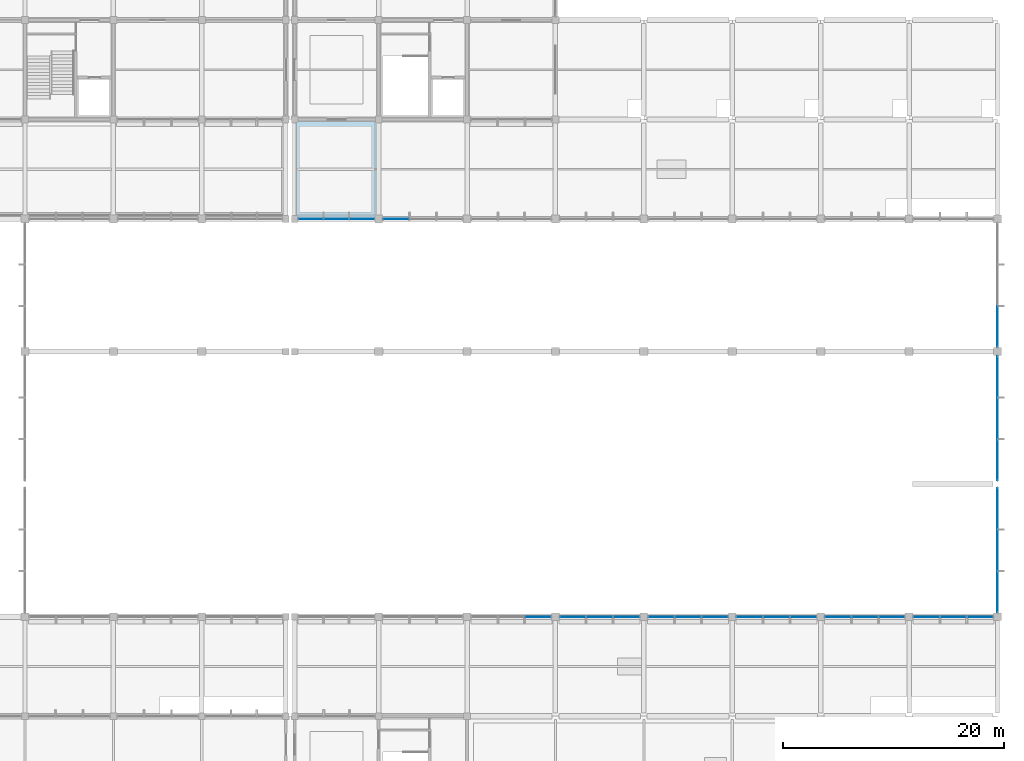
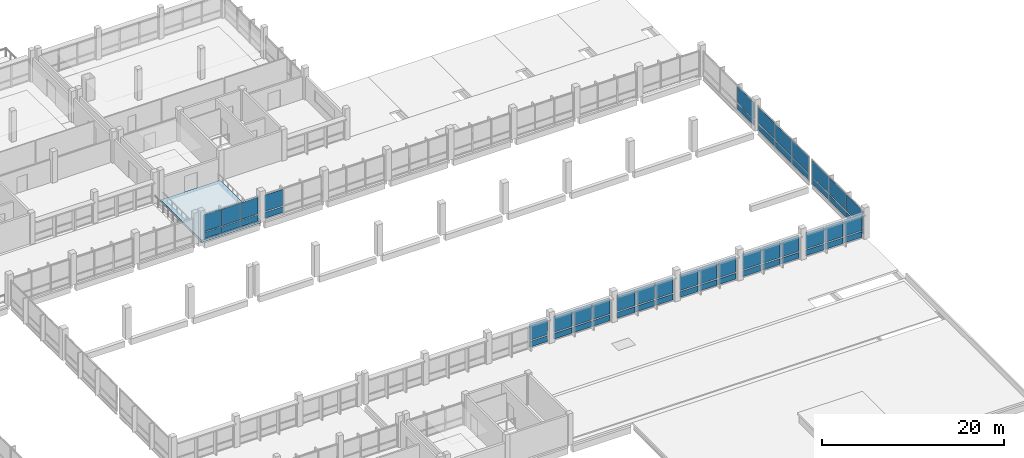
# One storey, part 52 of 70: 54 plates, 1 slab, 11 elements without a shape of their own.
"""IFC4 building model written with IfcOpenShell, lengths in metres."""

from ifc_helpers import new_model, si_unit, direction, frame, origin, origin_2d, place, context, subcontext, project, spatial, polyline, rectangle, outline, extrude, material, layer, layer_set, type_object, element, aggregate, save


model = new_model("IFC4")

# Units and contexts
model_context = context("Model", 3, precision=1e-05, world=origin(), true_north=direction((0.0, 1.0)))
body_context = subcontext(model_context, "Body", "Model", "MODEL_VIEW")
ifc_project = project(units=[si_unit("LENGTHUNIT", "METRE"), si_unit("AREAUNIT", "SQUARE_METRE"), si_unit("VOLUMEUNIT", "CUBIC_METRE"), si_unit("PLANEANGLEUNIT", "RADIAN"), si_unit("MASSUNIT", "GRAM", prefix="KILO"), si_unit("THERMODYNAMICTEMPERATUREUNIT", "KELVIN"), si_unit("POWERUNIT", "WATT")], contexts=[model_context])

# Site, building, storey
site_placement = place(None, origin())
site = spatial("IfcSite", under=ifc_project, at=site_placement, CompositionType="ELEMENT")
building_placement = place(site_placement, origin())
building = spatial("IfcBuilding", under=site, at=building_placement, Name="Kronsvod Quay Wholesale Market", CompositionType="ELEMENT")
storey_placement = place(building_placement, frame((0.0, 0.0, 9.0)))
storey = spatial("IfcBuildingStorey", under=building, at=storey_placement, Name="L02", CompositionType="ELEMENT", Elevation=9.0)

# Curtain wall, plates
ifc_material_1 = material(Name="Thermally broken aluminium and triple low-E glazing", Category="aluminium")
curtain_wall_type_1 = type_object("IfcCurtainWallType", Name="CW_Clerestory80x32", PredefinedType="NOTDEFINED", material=ifc_material_1)
curtain_wall_1_placement = place(storey_placement, origin())
curtain_wall_1 = element("IfcCurtainWall", 1, at=curtain_wall_1_placement, inside=storey, type_object=curtain_wall_type_1, Name="CWGX-L02-1284-900", PredefinedType="NOTDEFINED")
ifc_material_2 = material(Name="Insulated aluminium spandrel panel", Category="aluminium")
ifc_layer_1 = layer(ifc_material_2, 0.048095703125)
ifc_layer_set_1 = layer_set([ifc_layer_1], Name="Insulated aluminium spandrel panel")
plate_type_1 = type_object("IfcPlateType", Name="CWPanel_SP2223x820", PredefinedType="CURTAIN_PANEL", material=ifc_layer_set_1)
plate_1_placement = place(storey_placement, frame((134.478759765625, 90.0, 0.1201171875), z_axis=(0.0, 0.0, 1.0), x_axis=(-1.0, 0.0, 0.0)))
plate_1 = element("IfcPlate", 2, at=plate_1_placement, type_object=plate_type_1, Name="CWGX-L02-1284-900-PS1", PredefinedType="CURTAIN_PANEL", context=body_context, shape_type="SweptSolid", body=[
    extrude(rectangle(XDim=2.222900390625, YDim=0.048095703125, at=origin_2d()), origin(), (0.0, 0.0, 1.0), 0.820068359375),
])
plate_2_placement = place(storey_placement, frame((129.871337890625, 90.0, 0.1201171875), z_axis=(0.0, 0.0, 1.0), x_axis=(-1.0, 0.0, 0.0)))
plate_2 = element("IfcPlate", 3, at=plate_2_placement, type_object=plate_type_1, Name="CWGX-L02-1284-900-PS3", PredefinedType="CURTAIN_PANEL", context=body_context, shape_type="SweptSolid", body=[
    extrude(rectangle(XDim=2.222900390625, YDim=0.048095703125, at=origin_2d()), origin(), (0.0, 0.0, 1.0), 0.820068359375),
])
ifc_material_3 = material(Name="Insulated aluminium spandrel panel", Category="aluminium")
ifc_layer_2 = layer(ifc_material_3, 0.048095703125)
ifc_layer_set_2 = layer_set([ifc_layer_2], Name="Insulated aluminium spandrel panel")
plate_type_2 = type_object("IfcPlateType", Name="CWPanel_SP2255x820", PredefinedType="CURTAIN_PANEL", material=ifc_layer_set_2)
plate_3_placement = place(storey_placement, frame((132.175048828125, 90.0, 0.1201171875), z_axis=(0.0, 0.0, 1.0), x_axis=(-1.0, 0.0, 0.0)))
plate_3 = element("IfcPlate", 4, at=plate_3_placement, type_object=plate_type_2, Name="CWGX-L02-1284-900-PS2", PredefinedType="CURTAIN_PANEL", context=body_context, shape_type="SweptSolid", body=[
    extrude(rectangle(XDim=2.2548828125, YDim=0.048095703125, at=origin_2d()), origin(), (0.0, 0.0, 1.0), 0.820068359375),
])

# Curtain wall, plate
curtain_wall_2_placement = place(storey_placement, origin())
curtain_wall_2 = element("IfcCurtainWall", 5, at=curtain_wall_2_placement, inside=storey, type_object=curtain_wall_type_1, Name="CWGX-L02-1440-540", PredefinedType="NOTDEFINED")
ifc_material_4 = material(Name="Insulated aluminium spandrel panel", Category="aluminium")
ifc_layer_3 = layer(ifc_material_4, 0.048095703125)
ifc_layer_set_3 = layer_set([ifc_layer_3], Name="Insulated aluminium spandrel panel")
plate_type_3 = type_object("IfcPlateType", Name="CWPanel_SP2324x775", PredefinedType="CURTAIN_PANEL", material=ifc_layer_set_3)
plate_4_placement = place(storey_placement, frame((150.41796875, 54.0, 0.150146484375), z_axis=(0.0, 0.0, 1.0), x_axis=(1.0, 0.0, 0.0)))
plate_4 = element("IfcPlate", 6, at=plate_4_placement, type_object=plate_type_3, Name="CWGX-L02-1440-540-PS3", PredefinedType="CURTAIN_PANEL", context=body_context, shape_type="SweptSolid", body=[
    extrude(rectangle(XDim=2.323974609375, YDim=0.048095703125, at=origin_2d()), origin(), (0.0, 0.0, 1.0), 0.77490234375),
])

# Curtain wall, plates
curtain_wall_3_placement = place(storey_placement, origin())
curtain_wall_3 = element("IfcCurtainWall", 7, at=curtain_wall_3_placement, inside=storey, type_object=curtain_wall_type_1, Name="CWGX-L02-1520-540", PredefinedType="NOTDEFINED")
plate_5_placement = place(storey_placement, frame((153.58203125, 54.0, 0.150146484375), z_axis=(0.0, 0.0, 1.0), x_axis=(1.0, 0.0, 0.0)))
plate_5 = element("IfcPlate", 8, at=plate_5_placement, type_object=plate_type_3, Name="CWGX-L02-1520-540-PS1", PredefinedType="CURTAIN_PANEL", context=body_context, shape_type="SweptSolid", body=[
    extrude(rectangle(XDim=2.323974609375, YDim=0.048095703125, at=origin_2d()), origin(), (0.0, 0.0, 1.0), 0.77490234375),
])
plate_6_placement = place(storey_placement, frame((158.41796875, 54.0, 0.150146484375), z_axis=(0.0, 0.0, 1.0), x_axis=(1.0, 0.0, 0.0)))
plate_6 = element("IfcPlate", 9, at=plate_6_placement, type_object=plate_type_3, Name="CWGX-L02-1520-540-PS3", PredefinedType="CURTAIN_PANEL", context=body_context, shape_type="SweptSolid", body=[
    extrude(rectangle(XDim=2.323974609375, YDim=0.048095703125, at=origin_2d()), origin(), (0.0, 0.0, 1.0), 0.77490234375),
])

curtain_wall_4_placement = place(storey_placement, origin())
curtain_wall_4 = element("IfcCurtainWall", 10, at=curtain_wall_4_placement, inside=storey, type_object=curtain_wall_type_1, Name="CWGX-L02-1600-540", PredefinedType="NOTDEFINED")
plate_7_placement = place(storey_placement, frame((161.58203125, 54.0, 0.150146484375), z_axis=(0.0, 0.0, 1.0), x_axis=(1.0, 0.0, 0.0)))
plate_7 = element("IfcPlate", 11, at=plate_7_placement, type_object=plate_type_3, Name="CWGX-L02-1600-540-PS1", PredefinedType="CURTAIN_PANEL", context=body_context, shape_type="SweptSolid", body=[
    extrude(rectangle(XDim=2.323974609375, YDim=0.048095703125, at=origin_2d()), origin(), (0.0, 0.0, 1.0), 0.77490234375),
])
plate_8_placement = place(storey_placement, frame((166.41796875, 54.0, 0.150146484375), z_axis=(0.0, 0.0, 1.0), x_axis=(1.0, 0.0, 0.0)))
plate_8 = element("IfcPlate", 12, at=plate_8_placement, type_object=plate_type_3, Name="CWGX-L02-1600-540-PS3", PredefinedType="CURTAIN_PANEL", context=body_context, shape_type="SweptSolid", body=[
    extrude(rectangle(XDim=2.323974609375, YDim=0.048095703125, at=origin_2d()), origin(), (0.0, 0.0, 1.0), 0.77490234375),
])

curtain_wall_5_placement = place(storey_placement, origin())
curtain_wall_5 = element("IfcCurtainWall", 13, at=curtain_wall_5_placement, inside=storey, type_object=curtain_wall_type_1, Name="CWGX-L02-1680-540", PredefinedType="NOTDEFINED")
plate_9_placement = place(storey_placement, frame((169.58203125, 54.0, 0.150146484375), z_axis=(0.0, 0.0, 1.0), x_axis=(1.0, 0.0, 0.0)))
plate_9 = element("IfcPlate", 14, at=plate_9_placement, type_object=plate_type_3, Name="CWGX-L02-1680-540-PS1", PredefinedType="CURTAIN_PANEL", context=body_context, shape_type="SweptSolid", body=[
    extrude(rectangle(XDim=2.323974609375, YDim=0.048095703125, at=origin_2d()), origin(), (0.0, 0.0, 1.0), 0.77490234375),
])
plate_10_placement = place(storey_placement, frame((174.41796875, 54.0, 0.150146484375), z_axis=(0.0, 0.0, 1.0), x_axis=(1.0, 0.0, 0.0)))
plate_10 = element("IfcPlate", 15, at=plate_10_placement, type_object=plate_type_3, Name="CWGX-L02-1680-540-PS3", PredefinedType="CURTAIN_PANEL", context=body_context, shape_type="SweptSolid", body=[
    extrude(rectangle(XDim=2.323974609375, YDim=0.048095703125, at=origin_2d()), origin(), (0.0, 0.0, 1.0), 0.77490234375),
])

curtain_wall_6_placement = place(storey_placement, origin())
curtain_wall_6 = element("IfcCurtainWall", 16, at=curtain_wall_6_placement, inside=storey, type_object=curtain_wall_type_1, Name="CWGX-L02-1760-540", PredefinedType="NOTDEFINED")
plate_11_placement = place(storey_placement, frame((177.58203125, 54.0, 0.150146484375), z_axis=(0.0, 0.0, 1.0), x_axis=(1.0, 0.0, 0.0)))
plate_11 = element("IfcPlate", 17, at=plate_11_placement, type_object=plate_type_3, Name="CWGX-L02-1760-540-PS1", PredefinedType="CURTAIN_PANEL", context=body_context, shape_type="SweptSolid", body=[
    extrude(rectangle(XDim=2.323974609375, YDim=0.048095703125, at=origin_2d()), origin(), (0.0, 0.0, 1.0), 0.77490234375),
])
plate_12_placement = place(storey_placement, frame((182.41796875, 54.0, 0.150146484375), z_axis=(0.0, 0.0, 1.0), x_axis=(1.0, 0.0, 0.0)))
plate_12 = element("IfcPlate", 18, at=plate_12_placement, type_object=plate_type_3, Name="CWGX-L02-1760-540-PS3", PredefinedType="CURTAIN_PANEL", context=body_context, shape_type="SweptSolid", body=[
    extrude(rectangle(XDim=2.323974609375, YDim=0.048095703125, at=origin_2d()), origin(), (0.0, 0.0, 1.0), 0.77490234375),
])

curtain_wall_7_placement = place(storey_placement, origin())
curtain_wall_7 = element("IfcCurtainWall", 19, at=curtain_wall_7_placement, inside=storey, type_object=curtain_wall_type_1, Name="CWGX-L02-1840-540", PredefinedType="NOTDEFINED")
plate_13_placement = place(storey_placement, frame((185.58203125, 54.0, 0.150146484375), z_axis=(0.0, 0.0, 1.0), x_axis=(1.0, 0.0, 0.0)))
plate_13 = element("IfcPlate", 20, at=plate_13_placement, type_object=plate_type_3, Name="CWGX-L02-1840-540-PS1", PredefinedType="CURTAIN_PANEL", context=body_context, shape_type="SweptSolid", body=[
    extrude(rectangle(XDim=2.323974609375, YDim=0.048095703125, at=origin_2d()), origin(), (0.0, 0.0, 1.0), 0.77490234375),
])
plate_14_placement = place(storey_placement, frame((190.41796875, 54.0, 0.150146484375), z_axis=(0.0, 0.0, 1.0), x_axis=(1.0, 0.0, 0.0)))
plate_14 = element("IfcPlate", 21, at=plate_14_placement, type_object=plate_type_3, Name="CWGX-L02-1840-540-PS3", PredefinedType="CURTAIN_PANEL", context=body_context, shape_type="SweptSolid", body=[
    extrude(rectangle(XDim=2.323974609375, YDim=0.048095703125, at=origin_2d()), origin(), (0.0, 0.0, 1.0), 0.77490234375),
])

# Curtain wall, plate
curtain_wall_8_placement = place(storey_placement, origin())
curtain_wall_8 = element("IfcCurtainWall", 22, at=curtain_wall_8_placement, inside=storey, type_object=curtain_wall_type_1, Name="CWGX-L02-1360-900", PredefinedType="NOTDEFINED")
plate_15_placement = place(storey_placement, frame((137.58203125, 90.0, 0.150146484375), z_axis=(0.0, 0.0, 1.0), x_axis=(-1.0, 0.0, 0.0)))
plate_15 = element("IfcPlate", 23, at=plate_15_placement, type_object=plate_type_3, Name="CWGX-L02-1360-900-PS3", PredefinedType="CURTAIN_PANEL", context=body_context, shape_type="SweptSolid", body=[
    extrude(rectangle(XDim=2.323974609375, YDim=0.048095703125, at=origin_2d()), origin(), (0.0, 0.0, 1.0), 0.77490234375),
])

# Plate
ifc_material_5 = material(Name="Insulated aluminium spandrel panel", Category="aluminium")
ifc_layer_4 = layer(ifc_material_5, 0.048095703125)
ifc_layer_set_4 = layer_set([ifc_layer_4], Name="Insulated aluminium spandrel panel")
plate_type_4 = type_object("IfcPlateType", Name="CWPanel_SP2362x775", PredefinedType="CURTAIN_PANEL", material=ifc_layer_set_4)
plate_16_placement = place(storey_placement, frame((156.0, 54.0, 0.150146484375), z_axis=(0.0, 0.0, 1.0), x_axis=(1.0, 0.0, 0.0)))
plate_16 = element("IfcPlate", 24, at=plate_16_placement, type_object=plate_type_4, Name="CWGX-L02-1520-540-PS2", PredefinedType="CURTAIN_PANEL", context=body_context, shape_type="SweptSolid", body=[
    extrude(rectangle(XDim=2.362060546875, YDim=0.048095703125, at=origin_2d()), origin(), (0.0, 0.0, 1.0), 0.77490234375),
])

plate_17_placement = place(storey_placement, frame((164.0, 54.0, 0.150146484375), z_axis=(0.0, 0.0, 1.0), x_axis=(1.0, 0.0, 0.0)))
plate_17 = element("IfcPlate", 25, at=plate_17_placement, type_object=plate_type_4, Name="CWGX-L02-1600-540-PS2", PredefinedType="CURTAIN_PANEL", context=body_context, shape_type="SweptSolid", body=[
    extrude(rectangle(XDim=2.362060546875, YDim=0.048095703125, at=origin_2d()), origin(), (0.0, 0.0, 1.0), 0.77490234375),
])

plate_18_placement = place(storey_placement, frame((172.0, 54.0, 0.150146484375), z_axis=(0.0, 0.0, 1.0), x_axis=(1.0, 0.0, 0.0)))
plate_18 = element("IfcPlate", 26, at=plate_18_placement, type_object=plate_type_4, Name="CWGX-L02-1680-540-PS2", PredefinedType="CURTAIN_PANEL", context=body_context, shape_type="SweptSolid", body=[
    extrude(rectangle(XDim=2.362060546875, YDim=0.048095703125, at=origin_2d()), origin(), (0.0, 0.0, 1.0), 0.77490234375),
])

plate_19_placement = place(storey_placement, frame((180.0, 54.0, 0.150146484375), z_axis=(0.0, 0.0, 1.0), x_axis=(1.0, 0.0, 0.0)))
plate_19 = element("IfcPlate", 27, at=plate_19_placement, type_object=plate_type_4, Name="CWGX-L02-1760-540-PS2", PredefinedType="CURTAIN_PANEL", context=body_context, shape_type="SweptSolid", body=[
    extrude(rectangle(XDim=2.362060546875, YDim=0.048095703125, at=origin_2d()), origin(), (0.0, 0.0, 1.0), 0.77490234375),
])

plate_20_placement = place(storey_placement, frame((188.0, 54.0, 0.150146484375), z_axis=(0.0, 0.0, 1.0), x_axis=(1.0, 0.0, 0.0)))
plate_20 = element("IfcPlate", 28, at=plate_20_placement, type_object=plate_type_4, Name="CWGX-L02-1840-540-PS2", PredefinedType="CURTAIN_PANEL", context=body_context, shape_type="SweptSolid", body=[
    extrude(rectangle(XDim=2.362060546875, YDim=0.048095703125, at=origin_2d()), origin(), (0.0, 0.0, 1.0), 0.77490234375),
])

# Curtain wall, plate
ifc_material_6 = material(Name="Thermally broken aluminium and triple low-E glazing", Category="aluminium")
curtain_wall_type_2 = type_object("IfcCurtainWallType", Name="CW_Flower120x32", PredefinedType="NOTDEFINED", material=ifc_material_6)
curtain_wall_9_placement = place(storey_placement, origin())
curtain_wall_9 = element("IfcCurtainWall", 29, at=curtain_wall_9_placement, inside=storey, type_object=curtain_wall_type_2, Name="CWGY-L02-1920-780", PredefinedType="NOTDEFINED")
ifc_material_7 = material(Name="Insulated aluminium spandrel panel", Category="aluminium")
ifc_layer_5 = layer(ifc_material_7, 0.048095703125)
ifc_layer_set_5 = layer_set([ifc_layer_5], Name="Insulated aluminium spandrel panel")
plate_type_5 = type_object("IfcPlateType", Name="CWPanel_SP3649x775", PredefinedType="CURTAIN_PANEL", material=ifc_layer_set_5)
plate_21_placement = place(storey_placement, frame((192.0, 80.26953125, 0.150146484375), z_axis=(0.0, 0.0, 1.0), x_axis=(0.0, 1.0, 0.0)))
plate_21 = element("IfcPlate", 30, at=plate_21_placement, type_object=plate_type_5, Name="CWGY-L02-1920-780-PS1", PredefinedType="CURTAIN_PANEL", context=body_context, shape_type="SweptSolid", body=[
    extrude(rectangle(XDim=3.64892578125, YDim=0.048095703125, at=origin_2d()), origin(), (0.0, 0.0, 1.0), 0.77490234375),
])

# Curtain wall, plates
curtain_wall_10_placement = place(storey_placement, origin())
curtain_wall_10 = element("IfcCurtainWall", 31, at=curtain_wall_10_placement, inside=storey, type_object=curtain_wall_type_2, Name="CWGY-L02-1920-660", PredefinedType="NOTDEFINED")
ifc_material_8 = material(Name="Insulated aluminium spandrel panel", Category="aluminium")
ifc_layer_6 = layer(ifc_material_8, 0.048095703125)
ifc_layer_set_6 = layer_set([ifc_layer_6], Name="Insulated aluminium spandrel panel")
plate_type_6 = type_object("IfcPlateType", Name="CWPanel_SP3666x775", PredefinedType="CURTAIN_PANEL", material=ifc_layer_set_6)
plate_22_placement = place(storey_placement, frame((192.0, 68.202880859375, 0.150146484375), z_axis=(0.0, 0.0, 1.0), x_axis=(0.0, 1.0, 0.0)))
plate_22 = element("IfcPlate", 32, at=plate_22_placement, type_object=plate_type_6, Name="CWGY-L02-1920-660-PS1", PredefinedType="CURTAIN_PANEL", context=body_context, shape_type="SweptSolid", body=[
    extrude(rectangle(XDim=3.666015625, YDim=0.048095703125, at=origin_2d()), origin(), (0.0, 0.0, 1.0), 0.77490234375),
])
plate_23_placement = place(storey_placement, frame((192.0, 75.72216796875, 0.150146484375), z_axis=(0.0, 0.0, 1.0), x_axis=(0.0, 1.0, 0.0)))
plate_23 = element("IfcPlate", 33, at=plate_23_placement, type_object=plate_type_6, Name="CWGY-L02-1920-660-PS3", PredefinedType="CURTAIN_PANEL", context=body_context, shape_type="SweptSolid", body=[
    extrude(rectangle(XDim=3.666015625, YDim=0.048095703125, at=origin_2d()), origin(), (0.0, 0.0, 1.0), 0.77490234375),
])

curtain_wall_11_placement = place(storey_placement, origin())
curtain_wall_11 = element("IfcCurtainWall", 34, at=curtain_wall_11_placement, inside=storey, type_object=curtain_wall_type_2, Name="CWGY-L02-1920-540", PredefinedType="NOTDEFINED")
ifc_material_9 = material(Name="Insulated aluminium spandrel panel", Category="aluminium")
ifc_layer_7 = layer(ifc_material_9, 0.048095703125)
ifc_layer_set_7 = layer_set([ifc_layer_7], Name="Insulated aluminium spandrel panel")
plate_type_7 = type_object("IfcPlateType", Name="CWPanel_SP3674x775", PredefinedType="CURTAIN_PANEL", material=ifc_layer_set_7)
plate_24_placement = place(storey_placement, frame((192.0, 56.257080078125, 0.150146484375), z_axis=(0.0, 0.0, 1.0), x_axis=(0.0, 1.0, 0.0)))
plate_24 = element("IfcPlate", 35, at=plate_24_placement, type_object=plate_type_7, Name="CWGY-L02-1920-540-PS1", PredefinedType="CURTAIN_PANEL", context=body_context, shape_type="SweptSolid", body=[
    extrude(rectangle(XDim=3.674072265625, YDim=0.048095703125, at=origin_2d()), origin(), (0.0, 0.0, 1.0), 0.77490234375),
])
plate_25_placement = place(storey_placement, frame((192.0, 63.79296875, 0.150146484375), z_axis=(0.0, 0.0, 1.0), x_axis=(0.0, 1.0, 0.0)))
plate_25 = element("IfcPlate", 36, at=plate_25_placement, type_object=plate_type_7, Name="CWGY-L02-1920-540-PS3", PredefinedType="CURTAIN_PANEL", context=body_context, shape_type="SweptSolid", body=[
    extrude(rectangle(XDim=3.674072265625, YDim=0.048095703125, at=origin_2d()), origin(), (0.0, 0.0, 1.0), 0.77490234375),
])

# Plate
ifc_material_10 = material(Name="Insulated aluminium spandrel panel", Category="aluminium")
ifc_layer_8 = layer(ifc_material_10, 0.048095703125)
ifc_layer_set_8 = layer_set([ifc_layer_8], Name="Insulated aluminium spandrel panel")
plate_type_8 = type_object("IfcPlateType", Name="CWPanel_SP3703x775", PredefinedType="CURTAIN_PANEL", material=ifc_layer_set_8)
plate_26_placement = place(storey_placement, frame((192.0, 71.96240234375, 0.150146484375), z_axis=(0.0, 0.0, 1.0), x_axis=(0.0, 1.0, 0.0)))
plate_26 = element("IfcPlate", 37, at=plate_26_placement, type_object=plate_type_8, Name="CWGY-L02-1920-660-PS2", PredefinedType="CURTAIN_PANEL", context=body_context, shape_type="SweptSolid", body=[
    extrude(rectangle(XDim=3.702880859375, YDim=0.048095703125, at=origin_2d()), origin(), (0.0, 0.0, 1.0), 0.77490234375),
])

ifc_material_11 = material(Name="Insulated aluminium spandrel panel", Category="aluminium")
ifc_layer_9 = layer(ifc_material_11, 0.048095703125)
ifc_layer_set_9 = layer_set([ifc_layer_9], Name="Insulated aluminium spandrel panel")
plate_type_9 = type_object("IfcPlateType", Name="CWPanel_SP3712x775", PredefinedType="CURTAIN_PANEL", material=ifc_layer_set_9)
plate_27_placement = place(storey_placement, frame((192.0, 60.02490234375, 0.150146484375), z_axis=(0.0, 0.0, 1.0), x_axis=(0.0, 1.0, 0.0)))
plate_27 = element("IfcPlate", 38, at=plate_27_placement, type_object=plate_type_9, Name="CWGY-L02-1920-540-PS2", PredefinedType="CURTAIN_PANEL", context=body_context, shape_type="SweptSolid", body=[
    extrude(rectangle(XDim=3.7119140625, YDim=0.048095703125, at=origin_2d()), origin(), (0.0, 0.0, 1.0), 0.77490234375),
])

ifc_material_12 = material(Name="Triple low-E insulated glazing", Category="glass")
ifc_layer_10 = layer(ifc_material_12, 0.0439453125)
ifc_layer_set_10 = layer_set([ifc_layer_10], Name="Triple low-E insulated glazing")
plate_type_10 = type_object("IfcPlateType", Name="CWPanel_VS2223x2240", PredefinedType="CURTAIN_PANEL", material=ifc_layer_set_10)
plate_28_placement = place(storey_placement, frame((134.478759765625, 90.0, 1.06005859375), z_axis=(0.0, 0.0, 1.0), x_axis=(-1.0, 0.0, 0.0)))
plate_28 = element("IfcPlate", 39, at=plate_28_placement, type_object=plate_type_10, Name="CWGX-L02-1284-900-PV1", PredefinedType="CURTAIN_PANEL", context=body_context, shape_type="SweptSolid", body=[
    extrude(rectangle(XDim=2.222900390625, YDim=0.0439453125, at=origin_2d()), origin(), (0.0, 0.0, 1.0), 2.239990234375),
])

plate_29_placement = place(storey_placement, frame((129.871337890625, 90.0, 1.06005859375), z_axis=(0.0, 0.0, 1.0), x_axis=(-1.0, 0.0, 0.0)))
plate_29 = element("IfcPlate", 40, at=plate_29_placement, type_object=plate_type_10, Name="CWGX-L02-1284-900-PV3", PredefinedType="CURTAIN_PANEL", context=body_context, shape_type="SweptSolid", body=[
    extrude(rectangle(XDim=2.222900390625, YDim=0.0439453125, at=origin_2d()), origin(), (0.0, 0.0, 1.0), 2.239990234375),
])

ifc_material_13 = material(Name="Triple low-E insulated glazing", Category="glass")
ifc_layer_11 = layer(ifc_material_13, 0.0439453125)
ifc_layer_set_11 = layer_set([ifc_layer_11], Name="Triple low-E insulated glazing")
plate_type_11 = type_object("IfcPlateType", Name="CWPanel_VS2255x2240", PredefinedType="CURTAIN_PANEL", material=ifc_layer_set_11)
plate_30_placement = place(storey_placement, frame((132.175048828125, 90.0, 1.06005859375), z_axis=(0.0, 0.0, 1.0), x_axis=(-1.0, 0.0, 0.0)))
plate_30 = element("IfcPlate", 41, at=plate_30_placement, type_object=plate_type_11, Name="CWGX-L02-1284-900-PV2", PredefinedType="CURTAIN_PANEL", context=body_context, shape_type="SweptSolid", body=[
    extrude(rectangle(XDim=2.2548828125, YDim=0.0439453125, at=origin_2d()), origin(), (0.0, 0.0, 1.0), 2.239990234375),
])

aggregate(curtain_wall_1, [plate_1, plate_28, plate_3, plate_30, plate_2, plate_29])

ifc_material_14 = material(Name="Triple low-E insulated glazing", Category="glass")
ifc_layer_12 = layer(ifc_material_14, 0.0439453125)
ifc_layer_set_12 = layer_set([ifc_layer_12], Name="Triple low-E insulated glazing")
plate_type_12 = type_object("IfcPlateType", Name="CWPanel_VS2324x2195", PredefinedType="CURTAIN_PANEL", material=ifc_layer_set_12)
plate_31_placement = place(storey_placement, frame((150.41796875, 54.0, 1.0751953125), z_axis=(0.0, 0.0, 1.0), x_axis=(1.0, 0.0, 0.0)))
plate_31 = element("IfcPlate", 42, at=plate_31_placement, type_object=plate_type_12, Name="CWGX-L02-1440-540-PV3", PredefinedType="CURTAIN_PANEL", context=body_context, shape_type="SweptSolid", body=[
    extrude(rectangle(XDim=2.323974609375, YDim=0.0439453125, at=origin_2d()), origin(), (0.0, 0.0, 1.0), 2.195068359375),
])

aggregate(curtain_wall_2, [plate_4, plate_31])

plate_32_placement = place(storey_placement, frame((153.58203125, 54.0, 1.0751953125), z_axis=(0.0, 0.0, 1.0), x_axis=(1.0, 0.0, 0.0)))
plate_32 = element("IfcPlate", 43, at=plate_32_placement, type_object=plate_type_12, Name="CWGX-L02-1520-540-PV1", PredefinedType="CURTAIN_PANEL", context=body_context, shape_type="SweptSolid", body=[
    extrude(rectangle(XDim=2.323974609375, YDim=0.0439453125, at=origin_2d()), origin(), (0.0, 0.0, 1.0), 2.195068359375),
])

plate_33_placement = place(storey_placement, frame((158.41796875, 54.0, 1.0751953125), z_axis=(0.0, 0.0, 1.0), x_axis=(1.0, 0.0, 0.0)))
plate_33 = element("IfcPlate", 44, at=plate_33_placement, type_object=plate_type_12, Name="CWGX-L02-1520-540-PV3", PredefinedType="CURTAIN_PANEL", context=body_context, shape_type="SweptSolid", body=[
    extrude(rectangle(XDim=2.323974609375, YDim=0.0439453125, at=origin_2d()), origin(), (0.0, 0.0, 1.0), 2.195068359375),
])

plate_34_placement = place(storey_placement, frame((161.58203125, 54.0, 1.0751953125), z_axis=(0.0, 0.0, 1.0), x_axis=(1.0, 0.0, 0.0)))
plate_34 = element("IfcPlate", 45, at=plate_34_placement, type_object=plate_type_12, Name="CWGX-L02-1600-540-PV1", PredefinedType="CURTAIN_PANEL", context=body_context, shape_type="SweptSolid", body=[
    extrude(rectangle(XDim=2.323974609375, YDim=0.0439453125, at=origin_2d()), origin(), (0.0, 0.0, 1.0), 2.195068359375),
])

plate_35_placement = place(storey_placement, frame((166.41796875, 54.0, 1.0751953125), z_axis=(0.0, 0.0, 1.0), x_axis=(1.0, 0.0, 0.0)))
plate_35 = element("IfcPlate", 46, at=plate_35_placement, type_object=plate_type_12, Name="CWGX-L02-1600-540-PV3", PredefinedType="CURTAIN_PANEL", context=body_context, shape_type="SweptSolid", body=[
    extrude(rectangle(XDim=2.323974609375, YDim=0.0439453125, at=origin_2d()), origin(), (0.0, 0.0, 1.0), 2.195068359375),
])

plate_36_placement = place(storey_placement, frame((169.58203125, 54.0, 1.0751953125), z_axis=(0.0, 0.0, 1.0), x_axis=(1.0, 0.0, 0.0)))
plate_36 = element("IfcPlate", 47, at=plate_36_placement, type_object=plate_type_12, Name="CWGX-L02-1680-540-PV1", PredefinedType="CURTAIN_PANEL", context=body_context, shape_type="SweptSolid", body=[
    extrude(rectangle(XDim=2.323974609375, YDim=0.0439453125, at=origin_2d()), origin(), (0.0, 0.0, 1.0), 2.195068359375),
])

plate_37_placement = place(storey_placement, frame((174.41796875, 54.0, 1.0751953125), z_axis=(0.0, 0.0, 1.0), x_axis=(1.0, 0.0, 0.0)))
plate_37 = element("IfcPlate", 48, at=plate_37_placement, type_object=plate_type_12, Name="CWGX-L02-1680-540-PV3", PredefinedType="CURTAIN_PANEL", context=body_context, shape_type="SweptSolid", body=[
    extrude(rectangle(XDim=2.323974609375, YDim=0.0439453125, at=origin_2d()), origin(), (0.0, 0.0, 1.0), 2.195068359375),
])

plate_38_placement = place(storey_placement, frame((177.58203125, 54.0, 1.0751953125), z_axis=(0.0, 0.0, 1.0), x_axis=(1.0, 0.0, 0.0)))
plate_38 = element("IfcPlate", 49, at=plate_38_placement, type_object=plate_type_12, Name="CWGX-L02-1760-540-PV1", PredefinedType="CURTAIN_PANEL", context=body_context, shape_type="SweptSolid", body=[
    extrude(rectangle(XDim=2.323974609375, YDim=0.0439453125, at=origin_2d()), origin(), (0.0, 0.0, 1.0), 2.195068359375),
])

plate_39_placement = place(storey_placement, frame((182.41796875, 54.0, 1.0751953125), z_axis=(0.0, 0.0, 1.0), x_axis=(1.0, 0.0, 0.0)))
plate_39 = element("IfcPlate", 50, at=plate_39_placement, type_object=plate_type_12, Name="CWGX-L02-1760-540-PV3", PredefinedType="CURTAIN_PANEL", context=body_context, shape_type="SweptSolid", body=[
    extrude(rectangle(XDim=2.323974609375, YDim=0.0439453125, at=origin_2d()), origin(), (0.0, 0.0, 1.0), 2.195068359375),
])

plate_40_placement = place(storey_placement, frame((185.58203125, 54.0, 1.0751953125), z_axis=(0.0, 0.0, 1.0), x_axis=(1.0, 0.0, 0.0)))
plate_40 = element("IfcPlate", 51, at=plate_40_placement, type_object=plate_type_12, Name="CWGX-L02-1840-540-PV1", PredefinedType="CURTAIN_PANEL", context=body_context, shape_type="SweptSolid", body=[
    extrude(rectangle(XDim=2.323974609375, YDim=0.0439453125, at=origin_2d()), origin(), (0.0, 0.0, 1.0), 2.195068359375),
])

plate_41_placement = place(storey_placement, frame((190.41796875, 54.0, 1.0751953125), z_axis=(0.0, 0.0, 1.0), x_axis=(1.0, 0.0, 0.0)))
plate_41 = element("IfcPlate", 52, at=plate_41_placement, type_object=plate_type_12, Name="CWGX-L02-1840-540-PV3", PredefinedType="CURTAIN_PANEL", context=body_context, shape_type="SweptSolid", body=[
    extrude(rectangle(XDim=2.323974609375, YDim=0.0439453125, at=origin_2d()), origin(), (0.0, 0.0, 1.0), 2.195068359375),
])

plate_42_placement = place(storey_placement, frame((137.58203125, 90.0, 1.0751953125), z_axis=(0.0, 0.0, 1.0), x_axis=(-1.0, 0.0, 0.0)))
plate_42 = element("IfcPlate", 53, at=plate_42_placement, type_object=plate_type_12, Name="CWGX-L02-1360-900-PV3", PredefinedType="CURTAIN_PANEL", context=body_context, shape_type="SweptSolid", body=[
    extrude(rectangle(XDim=2.323974609375, YDim=0.0439453125, at=origin_2d()), origin(), (0.0, 0.0, 1.0), 2.195068359375),
])

aggregate(curtain_wall_8, [plate_15, plate_42])

ifc_material_15 = material(Name="Triple low-E insulated glazing", Category="glass")
ifc_layer_13 = layer(ifc_material_15, 0.0439453125)
ifc_layer_set_13 = layer_set([ifc_layer_13], Name="Triple low-E insulated glazing")
plate_type_13 = type_object("IfcPlateType", Name="CWPanel_VS2362x2195", PredefinedType="CURTAIN_PANEL", material=ifc_layer_set_13)
plate_43_placement = place(storey_placement, frame((156.0, 54.0, 1.0751953125), z_axis=(0.0, 0.0, 1.0), x_axis=(1.0, 0.0, 0.0)))
plate_43 = element("IfcPlate", 54, at=plate_43_placement, type_object=plate_type_13, Name="CWGX-L02-1520-540-PV2", PredefinedType="CURTAIN_PANEL", context=body_context, shape_type="SweptSolid", body=[
    extrude(rectangle(XDim=2.362060546875, YDim=0.0439453125, at=origin_2d()), origin(), (0.0, 0.0, 1.0), 2.195068359375),
])

aggregate(curtain_wall_3, [plate_5, plate_32, plate_16, plate_43, plate_6, plate_33])

plate_44_placement = place(storey_placement, frame((164.0, 54.0, 1.0751953125), z_axis=(0.0, 0.0, 1.0), x_axis=(1.0, 0.0, 0.0)))
plate_44 = element("IfcPlate", 55, at=plate_44_placement, type_object=plate_type_13, Name="CWGX-L02-1600-540-PV2", PredefinedType="CURTAIN_PANEL", context=body_context, shape_type="SweptSolid", body=[
    extrude(rectangle(XDim=2.362060546875, YDim=0.0439453125, at=origin_2d()), origin(), (0.0, 0.0, 1.0), 2.195068359375),
])

aggregate(curtain_wall_4, [plate_7, plate_34, plate_17, plate_44, plate_8, plate_35])

plate_45_placement = place(storey_placement, frame((172.0, 54.0, 1.0751953125), z_axis=(0.0, 0.0, 1.0), x_axis=(1.0, 0.0, 0.0)))
plate_45 = element("IfcPlate", 56, at=plate_45_placement, type_object=plate_type_13, Name="CWGX-L02-1680-540-PV2", PredefinedType="CURTAIN_PANEL", context=body_context, shape_type="SweptSolid", body=[
    extrude(rectangle(XDim=2.362060546875, YDim=0.0439453125, at=origin_2d()), origin(), (0.0, 0.0, 1.0), 2.195068359375),
])

aggregate(curtain_wall_5, [plate_9, plate_36, plate_18, plate_45, plate_10, plate_37])

plate_46_placement = place(storey_placement, frame((180.0, 54.0, 1.0751953125), z_axis=(0.0, 0.0, 1.0), x_axis=(1.0, 0.0, 0.0)))
plate_46 = element("IfcPlate", 57, at=plate_46_placement, type_object=plate_type_13, Name="CWGX-L02-1760-540-PV2", PredefinedType="CURTAIN_PANEL", context=body_context, shape_type="SweptSolid", body=[
    extrude(rectangle(XDim=2.362060546875, YDim=0.0439453125, at=origin_2d()), origin(), (0.0, 0.0, 1.0), 2.195068359375),
])

aggregate(curtain_wall_6, [plate_11, plate_38, plate_19, plate_46, plate_12, plate_39])

plate_47_placement = place(storey_placement, frame((188.0, 54.0, 1.0751953125), z_axis=(0.0, 0.0, 1.0), x_axis=(1.0, 0.0, 0.0)))
plate_47 = element("IfcPlate", 58, at=plate_47_placement, type_object=plate_type_13, Name="CWGX-L02-1840-540-PV2", PredefinedType="CURTAIN_PANEL", context=body_context, shape_type="SweptSolid", body=[
    extrude(rectangle(XDim=2.362060546875, YDim=0.0439453125, at=origin_2d()), origin(), (0.0, 0.0, 1.0), 2.195068359375),
])

aggregate(curtain_wall_7, [plate_13, plate_40, plate_20, plate_47, plate_14, plate_41])

ifc_material_16 = material(Name="Triple low-E insulated glazing", Category="glass")
ifc_layer_14 = layer(ifc_material_16, 0.0439453125)
ifc_layer_set_14 = layer_set([ifc_layer_14], Name="Triple low-E insulated glazing")
plate_type_14 = type_object("IfcPlateType", Name="CWPanel_VS3649x2195", PredefinedType="CURTAIN_PANEL", material=ifc_layer_set_14)
plate_48_placement = place(storey_placement, frame((192.0, 80.26953125, 1.0751953125), z_axis=(0.0, 0.0, 1.0), x_axis=(0.0, 1.0, 0.0)))
plate_48 = element("IfcPlate", 59, at=plate_48_placement, type_object=plate_type_14, Name="CWGY-L02-1920-780-PV1", PredefinedType="CURTAIN_PANEL", context=body_context, shape_type="SweptSolid", body=[
    extrude(rectangle(XDim=3.64892578125, YDim=0.0439453125, at=origin_2d()), origin(), (0.0, 0.0, 1.0), 2.195068359375),
])

aggregate(curtain_wall_9, [plate_21, plate_48])

ifc_material_17 = material(Name="Triple low-E insulated glazing", Category="glass")
ifc_layer_15 = layer(ifc_material_17, 0.0439453125)
ifc_layer_set_15 = layer_set([ifc_layer_15], Name="Triple low-E insulated glazing")
plate_type_15 = type_object("IfcPlateType", Name="CWPanel_VS3666x2195", PredefinedType="CURTAIN_PANEL", material=ifc_layer_set_15)
plate_49_placement = place(storey_placement, frame((192.0, 68.202880859375, 1.0751953125), z_axis=(0.0, 0.0, 1.0), x_axis=(0.0, 1.0, 0.0)))
plate_49 = element("IfcPlate", 60, at=plate_49_placement, type_object=plate_type_15, Name="CWGY-L02-1920-660-PV1", PredefinedType="CURTAIN_PANEL", context=body_context, shape_type="SweptSolid", body=[
    extrude(rectangle(XDim=3.666015625, YDim=0.0439453125, at=origin_2d()), origin(), (0.0, 0.0, 1.0), 2.195068359375),
])

plate_50_placement = place(storey_placement, frame((192.0, 75.72216796875, 1.0751953125), z_axis=(0.0, 0.0, 1.0), x_axis=(0.0, 1.0, 0.0)))
plate_50 = element("IfcPlate", 61, at=plate_50_placement, type_object=plate_type_15, Name="CWGY-L02-1920-660-PV3", PredefinedType="CURTAIN_PANEL", context=body_context, shape_type="SweptSolid", body=[
    extrude(rectangle(XDim=3.666015625, YDim=0.0439453125, at=origin_2d()), origin(), (0.0, 0.0, 1.0), 2.195068359375),
])

ifc_material_18 = material(Name="Triple low-E insulated glazing", Category="glass")
ifc_layer_16 = layer(ifc_material_18, 0.0439453125)
ifc_layer_set_16 = layer_set([ifc_layer_16], Name="Triple low-E insulated glazing")
plate_type_16 = type_object("IfcPlateType", Name="CWPanel_VS3674x2195", PredefinedType="CURTAIN_PANEL", material=ifc_layer_set_16)
plate_51_placement = place(storey_placement, frame((192.0, 56.257080078125, 1.0751953125), z_axis=(0.0, 0.0, 1.0), x_axis=(0.0, 1.0, 0.0)))
plate_51 = element("IfcPlate", 62, at=plate_51_placement, type_object=plate_type_16, Name="CWGY-L02-1920-540-PV1", PredefinedType="CURTAIN_PANEL", context=body_context, shape_type="SweptSolid", body=[
    extrude(rectangle(XDim=3.674072265625, YDim=0.0439453125, at=origin_2d()), origin(), (0.0, 0.0, 1.0), 2.195068359375),
])

plate_52_placement = place(storey_placement, frame((192.0, 63.79296875, 1.0751953125), z_axis=(0.0, 0.0, 1.0), x_axis=(0.0, 1.0, 0.0)))
plate_52 = element("IfcPlate", 63, at=plate_52_placement, type_object=plate_type_16, Name="CWGY-L02-1920-540-PV3", PredefinedType="CURTAIN_PANEL", context=body_context, shape_type="SweptSolid", body=[
    extrude(rectangle(XDim=3.674072265625, YDim=0.0439453125, at=origin_2d()), origin(), (0.0, 0.0, 1.0), 2.195068359375),
])

ifc_material_19 = material(Name="Triple low-E insulated glazing", Category="glass")
ifc_layer_17 = layer(ifc_material_19, 0.0439453125)
ifc_layer_set_17 = layer_set([ifc_layer_17], Name="Triple low-E insulated glazing")
plate_type_17 = type_object("IfcPlateType", Name="CWPanel_VS3703x2195", PredefinedType="CURTAIN_PANEL", material=ifc_layer_set_17)
plate_53_placement = place(storey_placement, frame((192.0, 71.96240234375, 1.0751953125), z_axis=(0.0, 0.0, 1.0), x_axis=(0.0, 1.0, 0.0)))
plate_53 = element("IfcPlate", 64, at=plate_53_placement, type_object=plate_type_17, Name="CWGY-L02-1920-660-PV2", PredefinedType="CURTAIN_PANEL", context=body_context, shape_type="SweptSolid", body=[
    extrude(rectangle(XDim=3.702880859375, YDim=0.0439453125, at=origin_2d()), origin(), (0.0, 0.0, 1.0), 2.195068359375),
])

aggregate(curtain_wall_10, [plate_22, plate_49, plate_26, plate_53, plate_23, plate_50])

ifc_material_20 = material(Name="Triple low-E insulated glazing", Category="glass")
ifc_layer_18 = layer(ifc_material_20, 0.0439453125)
ifc_layer_set_18 = layer_set([ifc_layer_18], Name="Triple low-E insulated glazing")
plate_type_18 = type_object("IfcPlateType", Name="CWPanel_VS3712x2195", PredefinedType="CURTAIN_PANEL", material=ifc_layer_set_18)
plate_54_placement = place(storey_placement, frame((192.0, 60.02490234375, 1.0751953125), z_axis=(0.0, 0.0, 1.0), x_axis=(0.0, 1.0, 0.0)))
plate_54 = element("IfcPlate", 65, at=plate_54_placement, type_object=plate_type_18, Name="CWGY-L02-1920-540-PV2", PredefinedType="CURTAIN_PANEL", context=body_context, shape_type="SweptSolid", body=[
    extrude(rectangle(XDim=3.7119140625, YDim=0.0439453125, at=origin_2d()), origin(), (0.0, 0.0, 1.0), 2.195068359375),
])

aggregate(curtain_wall_11, [plate_24, plate_51, plate_27, plate_54, plate_25, plate_52])

# Slab
ifc_material_21 = material(Name="Concrete C35/45", Category="concrete")
ifc_layer_19 = layer(ifc_material_21, 0.31005859375)
ifc_layer_set_19 = layer_set([ifc_layer_19], Name="Concrete C35/45")
slab_type = type_object("IfcSlabType", Name="Slab_GardenDeck310", PredefinedType="FLOOR", material=ifc_layer_set_19)
slab_placement = place(storey_placement, frame((0.0, 0.0, -0.31005859375)))
element("IfcSlab", 66, at=slab_placement, inside=storey, type_object=slab_type, Name="SLB-L02-125", PredefinedType="FLOOR", context=body_context, shape_type="SweptSolid", body=[
    extrude(outline(polyline([(128.419921875, 90.0), (136.0, 90.0), (136.0, 99.0), (128.419921875, 99.0), (128.419921875, 90.0)])), origin(), (0.0, 0.0, 1.0), 0.31005859375),
])

save(model, "model.ifc")
